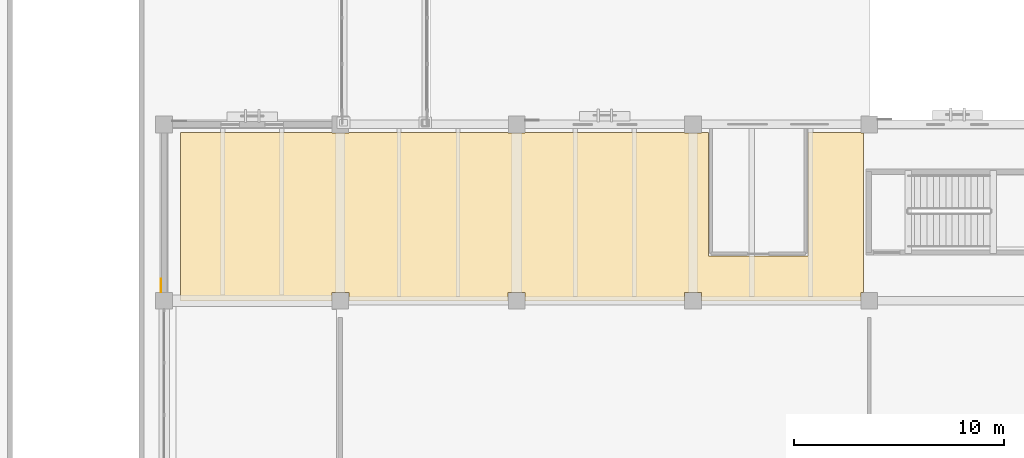
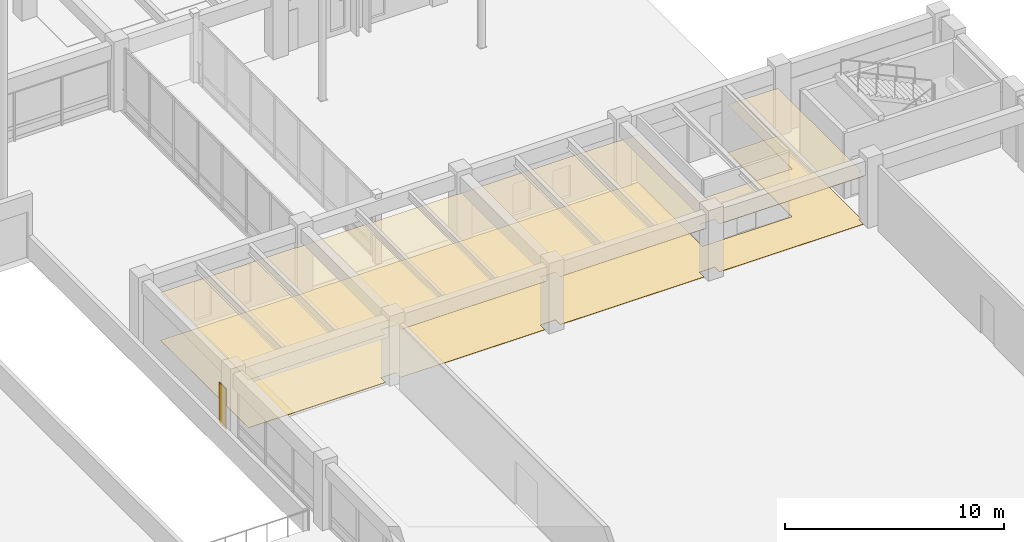
# One storey, part 130 of 135: 3 coverings.
"""IFC4 building model written with IfcOpenShell, lengths in metres."""

from ifc_helpers import new_model, si_unit, direction, frame, origin, place, context, subcontext, project, spatial, polyline, outline, extrude, material, layer, layer_set, type_object, element, save


model = new_model("IFC4")

# Units and contexts
model_context = context("Model", 3, precision=1e-05, world=origin(), true_north=direction((0.0, 1.0)))
body_context = subcontext(model_context, "Body", "Model", "MODEL_VIEW")
ifc_project = project(units=[si_unit("LENGTHUNIT", "METRE"), si_unit("AREAUNIT", "SQUARE_METRE"), si_unit("VOLUMEUNIT", "CUBIC_METRE"), si_unit("PLANEANGLEUNIT", "RADIAN"), si_unit("MASSUNIT", "GRAM", prefix="KILO")], contexts=[model_context])

# Site, building, storey
site_placement = place(None, origin())
site = spatial("IfcSite", under=ifc_project, at=site_placement, CompositionType="ELEMENT")
building_placement = place(site_placement, origin())
building = spatial("IfcBuilding", under=site, at=building_placement, Name="Cumbredor Promenade Congress Hotel", CompositionType="ELEMENT")
storey_placement = place(building_placement, origin())
storey = spatial("IfcBuildingStorey", under=building, at=storey_placement, Name="L00", CompositionType="ELEMENT", Elevation=0.0)

# Coverings
ifc_material_1 = material(Name="Acoustic mineral-fiber and gypsum ceiling")
ifc_layer_1 = layer(ifc_material_1, 0.01806640625, Name="Acoustic mineral-fiber and gypsum ceiling")
ifc_layer_set_1 = layer_set([ifc_layer_1], Name="Acoustic mineral-fiber and gypsum ceiling")
covering_type_1 = type_object("IfcCoveringType", Name="Acoustic Perforated Gypsum Ceiling CLG-01 18mm", PredefinedType="CEILING", material=ifc_layer_set_1)
covering_1_placement = place(storey_placement, frame((0.0, 0.0, 2.673095703125)))
element("IfcCovering", 1, at=covering_1_placement, inside=storey, type_object=covering_type_1, Name="Ballroom North Bridge Concourse Acoustic Ceiling", PredefinedType="CEILING", context=body_context, shape_type="SweptSolid", body=[
    extrude(outline(polyline([(150.794921875, 66.794921875), (151.60498046875, 66.794921875), (151.60498046875, 66.820068359375), (159.195068359375, 66.820068359375), (159.195068359375, 66.794921875), (160.0048828125, 66.794921875), (160.0048828125, 66.820068359375), (167.594970703125, 66.820068359375), (167.594970703125, 66.794921875), (168.405029296875, 66.794921875), (168.405029296875, 66.820068359375), (168.75, 66.820068359375), (168.75, 60.929931640625), (173.469970703125, 60.929931640625), (173.469970703125, 66.820068359375), (175.9951171875, 66.820068359375), (175.9951171875, 66.794921875), (176.1201171875, 66.794921875), (176.1201171875, 59.205078125), (175.9951171875, 59.205078125), (175.9951171875, 58.780029296875), (168.405029296875, 58.780029296875), (168.405029296875, 59.205078125), (167.594970703125, 59.205078125), (167.594970703125, 58.780029296875), (160.0048828125, 58.780029296875), (160.0048828125, 59.205078125), (159.195068359375, 59.205078125), (159.195068359375, 58.780029296875), (151.60498046875, 58.780029296875), (151.60498046875, 59.205078125), (150.794921875, 59.205078125), (150.794921875, 58.780029296875), (143.580078125, 58.780029296875), (143.580078125, 66.820068359375), (150.794921875, 66.820068359375), (150.794921875, 66.794921875)])), origin(), (0.0, 0.0, 1.0), 0.017822265625),
])
ifc_material_2 = material(Name="Porcelain stoneware tile", Category="masonry")
ifc_layer_2 = layer(ifc_material_2, 0.02001953125, Name="Porcelain stoneware tile", Category="masonry")
ifc_layer_set_2 = layer_set([ifc_layer_2], Name="Porcelain stoneware tile")
covering_type_2 = type_object("IfcCoveringType", Name="Porcelain Stoneware Flooring FLR-01 20mm", PredefinedType="FLOORING", material=ifc_layer_set_2)
covering_2_placement = place(storey_placement, origin())
element("IfcCovering", 2, at=covering_2_placement, inside=storey, type_object=covering_type_2, Name="Ballroom North Bridge Concourse Porcelain Flooring", PredefinedType="FLOORING", context=body_context, shape_type="SweptSolid", body=[
    extrude(outline(polyline([(150.794921875, 66.794921875), (151.60498046875, 66.794921875), (151.60498046875, 66.820068359375), (159.195068359375, 66.820068359375), (159.195068359375, 66.794921875), (160.0048828125, 66.794921875), (160.0048828125, 66.820068359375), (167.594970703125, 66.820068359375), (167.594970703125, 66.794921875), (168.405029296875, 66.794921875), (168.405029296875, 66.820068359375), (168.75, 66.820068359375), (168.75, 60.929931640625), (173.469970703125, 60.929931640625), (173.469970703125, 66.820068359375), (175.9951171875, 66.820068359375), (175.9951171875, 66.794921875), (176.1201171875, 66.794921875), (176.1201171875, 59.205078125), (175.9951171875, 59.205078125), (175.9951171875, 58.780029296875), (168.405029296875, 58.780029296875), (168.405029296875, 59.205078125), (167.594970703125, 59.205078125), (167.594970703125, 58.780029296875), (160.0048828125, 58.780029296875), (160.0048828125, 59.205078125), (159.195068359375, 59.205078125), (159.195068359375, 58.780029296875), (151.60498046875, 58.780029296875), (151.60498046875, 59.205078125), (150.794921875, 59.205078125), (150.794921875, 58.780029296875), (143.580078125, 58.780029296875), (143.580078125, 66.820068359375), (150.794921875, 66.820068359375), (150.794921875, 66.794921875)])), origin(), (0.0, 0.0, 1.0), 0.02001953125),
])
ifc_material_3 = material(Name="Volcanic andesite ashlar cladding", Category="masonry")
ifc_layer_3 = layer(ifc_material_3, 0.034912109375, Name="Volcanic andesite ashlar cladding", Category="masonry")
ifc_layer_set_3 = layer_set([ifc_layer_3], Name="Volcanic andesite ashlar cladding")
covering_type_3 = type_object("IfcCoveringType", Name="Volcanic Andesite Ashlar Rainscreen Cladding 35mm", PredefinedType="CLADDING", material=ifc_layer_set_3)
covering_3_placement = place(storey_placement, origin())
element("IfcCovering", 3, at=covering_3_placement, inside=storey, type_object=covering_type_3, Name="L00 Facade Stone Cladding Pier 015", PredefinedType="CLADDING", context=body_context, shape_type="SweptSolid", body=[
    extrude(outline(polyline([(142.669921875, 59.200927734375), (142.669921875, 59.85107421875), (142.635009765625, 59.85107421875), (142.635009765625, 59.200927734375), (142.669921875, 59.200927734375)])), origin(), (0.0, 0.0, 1.0), 2.25),
])

save(model, "model.ifc")
